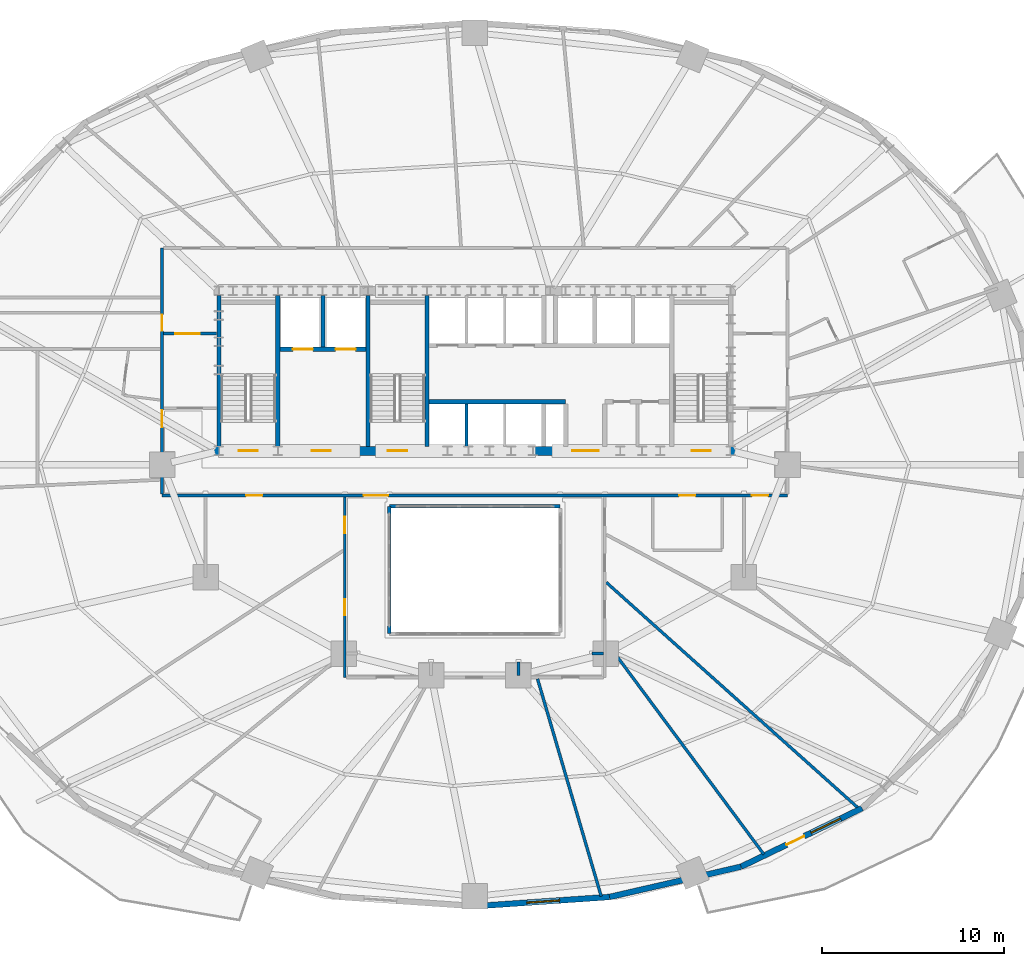
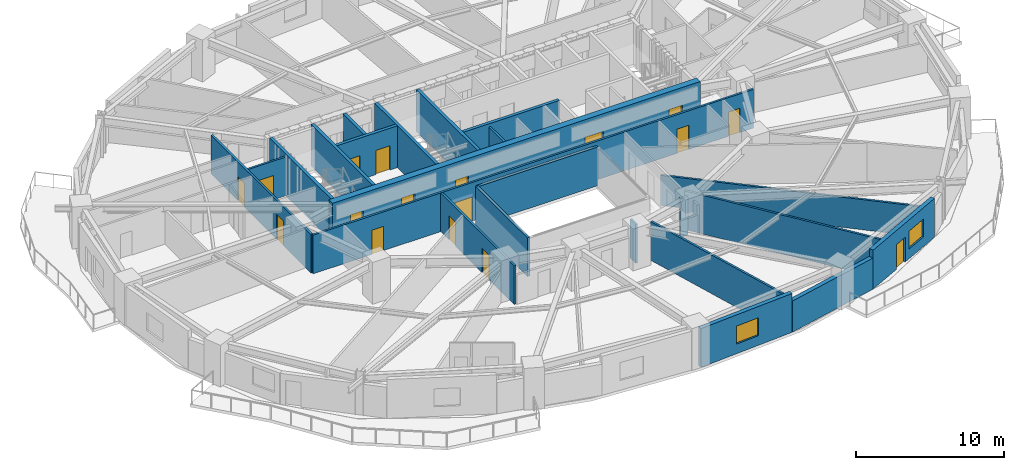
# One storey, part 10 of 17: 23 walls, 17 doors, 2 windows, 19 openings.
"""IFC4 building model written with IfcOpenShell, lengths in metres."""

from ifc_helpers import new_model, si_unit, direction, frame, frame_2d, origin, place, context, subcontext, project, spatial, rectangle, extrude, material, layer, layer_set, type_object, element, fill, save


model = new_model("IFC4")

# Units and contexts
model_context = context("Model", 3, precision=1e-05, world=origin(), true_north=direction((0.0, 1.0)))
body_context = subcontext(model_context, "Body", "Model", "MODEL_VIEW")
ifc_project = project(units=[si_unit("LENGTHUNIT", "METRE"), si_unit("AREAUNIT", "SQUARE_METRE"), si_unit("VOLUMEUNIT", "CUBIC_METRE"), si_unit("PLANEANGLEUNIT", "RADIAN"), si_unit("MASSUNIT", "GRAM", prefix="KILO")], contexts=[model_context])

# Site, building, storey
site_placement = place(None, origin())
site = spatial("IfcSite", under=ifc_project, at=site_placement, CompositionType="ELEMENT")
building_placement = place(site_placement, origin())
building = spatial("IfcBuilding", under=site, at=building_placement, Name="Haldorwick Loom Tower", CompositionType="ELEMENT")
storey_placement = place(building_placement, frame((0.0, 0.0, 65.39990234375)))
storey = spatial("IfcBuildingStorey", under=building, at=storey_placement, Name="L17", CompositionType="ELEMENT", Elevation=65.39990234375)

# Wall, opening, window
ifc_material_1 = material(Name="Pressed Clay Face Brick and Insulated Masonry Backup Assembly", Category="masonry")
ifc_layer_1 = layer(ifc_material_1, 0.320068359375, Name="Pressed Clay Face Brick and Insulated Masonry Backup Assembly", Category="masonry")
ifc_layer_set_1 = layer_set([ifc_layer_1], Name="Pressed Clay Face Brick and Insulated Masonry Backup Assembly")
wall_type_1 = type_object("IfcWallType", Name="ARC-WL-EXT320", PredefinedType="STANDARD", material=ifc_layer_set_1)
wall_1_placement = place(storey_placement, frame((36.0, 1.7099609375, 0.0), z_axis=(0.0, 0.0, 1.0), x_axis=(0.997645161917, 0.068586667092, 0.0)))
wall_1 = element("IfcWall", 1, at=wall_1_placement, inside=storey, type_object=wall_type_1, Name="L17 Brick Pier and Spandrel Wall 19", PredefinedType="STANDARD", context=body_context, shape_type="SweptSolid", body=[
    extrude(rectangle(XDim=7.428955078125, YDim=0.320068359375, at=frame_2d((3.71435546875, 0.0))), origin(), (0.0, 0.0, 1.0), 3.210205078125),
])
opening_1_placement = place(wall_1_placement, frame((2.874755859375, 0.0, 0.800048828125)))
opening_1 = element("IfcOpeningElement", 2, at=opening_1_placement, cuts=wall_1, Name="Opening W-01", PredefinedType="OPENING", context=body_context, shape_type="SweptSolid", body=[
    extrude(rectangle(XDim=1.800048828125, YDim=1.47998046875, at=frame_2d((0.89990234375, 0.739990234375))), frame((0.0, 0.169921875, 0.0), z_axis=(0.0, -1.0, 0.0), x_axis=(1.0, 0.0, 0.0)), (0.0, 0.0, 1.0), 0.340087890625),
])
ifc_material_2 = material(Name="Triple-Glazed Low-E Argon Insulated Glazing Unit", Category="glass")
window_type = type_object("IfcWindowType", Name="ARC-WIN-W180", PartitioningType="SINGLE_PANEL", PredefinedType="WINDOW", material=ifc_material_2)
window_1_placement = place(opening_1_placement, origin())
window_1 = element("IfcWindow", 3, at=window_1_placement, inside=storey, type_object=window_type, Name="L17 Deep-Set Zone 7A Window 19", OverallHeight=1.47998046875, OverallWidth=1.800048828125, PartitioningType="SINGLE_PANEL", PredefinedType="WINDOW", context=body_context, shape_type="SweptSolid", body=[
    extrude(rectangle(XDim=1.800048828125, YDim=1.47998046875, at=frame_2d((0.89990234375, 0.739990234375))), frame((0.0, 0.030029296875, 0.0), z_axis=(0.0, -1.0, 0.0), x_axis=(1.0, 0.0, 0.0)), (0.0, 0.0, 1.0), 0.06005859375),
])
fill(opening_1, window_1)

# Wall
wall_2_placement = place(storey_placement, frame((43.411376953125, 2.219482421875, 0.0), z_axis=(0.0, 0.0, 1.0), x_axis=(0.974522412345, 0.224290142088, 0.0)))
element("IfcWall", 4, at=wall_2_placement, inside=storey, type_object=wall_type_1, Name="L17 Brick Pier and Spandrel Wall 20", PredefinedType="STANDARD", context=body_context, shape_type="SweptSolid", body=[
    extrude(rectangle(XDim=7.422607421875, YDim=0.320068359375, at=frame_2d((3.71142578125, 0.0))), origin(), (0.0, 0.0, 1.0), 2.569091796875),
])

# Wall, openings, door, window
wall_3_placement = place(storey_placement, frame((50.644775390625, 3.88427734375, 0.0), z_axis=(0.0, 0.0, 1.0), x_axis=(0.900295710431, 0.435278800057, 0.0)))
wall_3 = element("IfcWall", 5, at=wall_3_placement, inside=storey, type_object=wall_type_1, Name="L17 Brick Pier and Spandrel Wall 21", PredefinedType="STANDARD", context=body_context, shape_type="SweptSolid", body=[
    extrude(rectangle(XDim=7.39697265625, YDim=0.320068359375, at=frame_2d((3.698486328125, 0.0))), origin(), (0.0, 0.0, 1.0), 3.210205078125),
])
opening_2_placement = place(wall_3_placement, frame((2.77783203125, 0.0, 0.0)))
opening_2 = element("IfcOpeningElement", 6, at=opening_2_placement, cuts=wall_3, Name="Opening D-BL11", PredefinedType="OPENING", context=body_context, shape_type="SweptSolid", body=[
    extrude(rectangle(XDim=1.080078125, YDim=2.0400390625, at=frame_2d((0.5400390625, 1.02001953125))), frame((0.0, 0.169921875, 0.0), z_axis=(0.0, -1.0, 0.0), x_axis=(1.0, 0.0, 0.0)), (0.0, 0.0, 1.0), 0.340087890625),
])
opening_3_placement = place(wall_3_placement, frame((4.27783203125, 0.0, 0.800048828125)))
opening_3 = element("IfcOpeningElement", 7, at=opening_3_placement, cuts=wall_3, Name="Opening W-01", PredefinedType="OPENING", context=body_context, shape_type="SweptSolid", body=[
    extrude(rectangle(XDim=1.800048828125, YDim=1.47998046875, at=frame_2d((0.89990234375, 0.739990234375))), frame((0.0, 0.169921875, 0.0), z_axis=(0.0, -1.0, 0.0), x_axis=(1.0, 0.0, 0.0)), (0.0, 0.0, 1.0), 0.340087890625),
])
ifc_material_3 = material(Name="Thermally Broken Anodized Aluminium Curtain Wall Framing", Category="aluminium")
door_type_1 = type_object("IfcDoorType", Name="ARC-DR-BAL110", OperationType="NOTDEFINED", PredefinedType="DOOR", material=ifc_material_3)
door_1_placement = place(opening_2_placement, origin())
door_1 = element("IfcDoor", 8, at=door_1_placement, inside=storey, type_object=door_type_1, Name="L17 Outdoor Terrace Door SLB-L17-BAL_SE", OperationType="SINGLE_SWING_LEFT", OverallHeight=2.0400390625, OverallWidth=1.080078125, PredefinedType="DOOR", context=body_context, shape_type="SweptSolid", body=[
    extrude(rectangle(XDim=1.080078125, YDim=2.0400390625, at=frame_2d((0.5400390625, 1.02001953125))), frame((0.0, 0.02490234375, 0.0), z_axis=(0.0, -1.0, 0.0), x_axis=(1.0, 0.0, 0.0)), (0.0, 0.0, 1.0), 0.050048828125),
])
fill(opening_2, door_1)
window_2_placement = place(opening_3_placement, origin())
window_2 = element("IfcWindow", 9, at=window_2_placement, inside=storey, type_object=window_type, Name="L17 Deep-Set Zone 7A Window 21", OverallHeight=1.47998046875, OverallWidth=1.800048828125, PartitioningType="SINGLE_PANEL", PredefinedType="WINDOW", context=body_context, shape_type="SweptSolid", body=[
    extrude(rectangle(XDim=1.800048828125, YDim=1.47998046875, at=frame_2d((0.89990234375, 0.739990234375))), frame((0.0, 0.030029296875, 0.0), z_axis=(0.0, -1.0, 0.0), x_axis=(1.0, 0.0, 0.0)), (0.0, 0.0, 1.0), 0.06005859375),
])
fill(opening_3, window_2)

# Wall, openings, doors
ifc_material_4 = material(Name="Fire-Rated Type X Gypsum Stud Assembly EI 60")
ifc_layer_2 = layer(ifc_material_4, 0.159912109375, Name="Fire-Rated Type X Gypsum Stud Assembly EI 60")
ifc_layer_set_2 = layer_set([ifc_layer_2], Name="Fire-Rated Type X Gypsum Stud Assembly EI 60")
wall_type_2 = type_object("IfcWallType", Name="ARC-WL-FIRE160", PredefinedType="PARTITIONING", material=ifc_layer_set_2)
wall_4_placement = place(storey_placement, frame((18.800048828125, 24.300048828125, 0.0), z_axis=(0.0, 0.0, 1.0), x_axis=(1.0, 0.0, 0.0)))
wall_4 = element("IfcWall", 10, at=wall_4_placement, inside=storey, type_object=wall_type_2, Name="L17 Residential Fire Partition L17-CR-SP", PredefinedType="PARTITIONING", context=body_context, shape_type="SweptSolid", body=[
    extrude(rectangle(XDim=34.39990234375, YDim=0.159912109375, at=frame_2d((17.199951171875, 0.0))), origin(), (0.0, 0.0, 1.0), 3.195068359375),
])
opening_4_placement = place(wall_4_placement, frame((11.085693359375, 0.0, 0.0)))
opening_4 = element("IfcOpeningElement", 11, at=opening_4_placement, cuts=wall_4, Name="Opening D-CR15", PredefinedType="OPENING", context=body_context, shape_type="SweptSolid", body=[
    extrude(rectangle(XDim=1.35009765625, YDim=2.0, at=frame_2d((0.675048828125, 1.0))), frame((0.0, 0.08984375, 0.0), z_axis=(0.0, -1.0, 0.0), x_axis=(1.0, 0.0, 0.0)), (0.0, 0.0, 1.0), 0.179931640625),
])
opening_5_placement = place(wall_4_placement, frame((4.621826171875, 0.0, 0.0)))
opening_5 = element("IfcOpeningElement", 12, at=opening_5_placement, cuts=wall_4, Name="Opening D-FD60A", PredefinedType="OPENING", context=body_context, shape_type="SweptSolid", body=[
    extrude(rectangle(XDim=0.89990234375, YDim=2.0, at=frame_2d((0.449951171875, 1.0))), frame((0.0, 0.08984375, 0.0), z_axis=(0.0, -1.0, 0.0), x_axis=(1.0, 0.0, 0.0)), (0.0, 0.0, 1.0), 0.179931640625),
])
opening_6_placement = place(wall_4_placement, frame((28.437255859375, 0.0, 0.0)))
opening_6 = element("IfcOpeningElement", 13, at=opening_6_placement, cuts=wall_4, Name="Opening D-FD60A", PredefinedType="OPENING", context=body_context, shape_type="SweptSolid", body=[
    extrude(rectangle(XDim=0.89990234375, YDim=2.0, at=frame_2d((0.449951171875, 1.0))), frame((0.0, 0.08984375, 0.0), z_axis=(0.0, -1.0, 0.0), x_axis=(1.0, 0.0, 0.0)), (0.0, 0.0, 1.0), 0.179931640625),
])
opening_7_placement = place(wall_4_placement, frame((32.436767578125, 0.0, 0.0)))
opening_7 = element("IfcOpeningElement", 14, at=opening_7_placement, cuts=wall_4, Name="Opening D-FD60A", PredefinedType="OPENING", context=body_context, shape_type="SweptSolid", body=[
    extrude(rectangle(XDim=0.89990234375, YDim=2.0, at=frame_2d((0.449951171875, 1.0))), frame((0.0, 0.08984375, 0.0), z_axis=(0.0, -1.0, 0.0), x_axis=(1.0, 0.0, 0.0)), (0.0, 0.0, 1.0), 0.179931640625),
])
ifc_material_5 = material(Name="Thermally Broken Anodized Aluminium and Tempered Glass", Category="aluminium")
door_type_2 = type_object("IfcDoorType", Name="ARC-DR-COR150", OperationType="NOTDEFINED", PredefinedType="DOOR", material=ifc_material_5)
door_2_placement = place(opening_4_placement, origin())
door_2 = element("IfcDoor", 15, at=door_2_placement, inside=storey, type_object=door_type_2, Name="L17 L17 Central Residential Corridor to L17 South Atrium Corridor Door", OperationType="DOUBLE_DOOR_SINGLE_SWING", OverallHeight=2.0, OverallWidth=1.35009765625, PredefinedType="DOOR", context=body_context, shape_type="SweptSolid", body=[
    extrude(rectangle(XDim=1.35009765625, YDim=2.0, at=frame_2d((0.675048828125, 1.0))), frame((0.0, 0.02490234375, 0.0), z_axis=(0.0, -1.0, 0.0), x_axis=(1.0, 0.0, 0.0)), (0.0, 0.0, 1.0), 0.050048828125),
])
fill(opening_4, door_2)
ifc_material_6 = material(Name="Hollow Steel Fire Door Assembly", Category="steel")
door_type_3 = type_object("IfcDoorType", Name="ARC-DR-FD60-90", OperationType="NOTDEFINED", PredefinedType="DOOR", material=ifc_material_6)
door_3_placement = place(opening_5_placement, origin())
door_3 = element("IfcDoor", 16, at=door_3_placement, inside=storey, type_object=door_type_3, Name="L17 L17 Central Residential Corridor to Tenant Seminar Meeting Room 18 D", OperationType="SINGLE_SWING_RIGHT", OverallHeight=2.0, OverallWidth=0.89990234375, PredefinedType="DOOR", context=body_context, shape_type="SweptSolid", body=[
    extrude(rectangle(XDim=0.89990234375, YDim=2.0, at=frame_2d((0.449951171875, 1.0))), frame((0.0, 0.02490234375, 0.0), z_axis=(0.0, -1.0, 0.0), x_axis=(1.0, 0.0, 0.0)), (0.0, 0.0, 1.0), 0.050048828125),
])
fill(opening_5, door_3)
door_4_placement = place(opening_6_placement, origin())
door_4 = element("IfcDoor", 17, at=door_4_placement, inside=storey, type_object=door_type_3, Name="L17 L17 Central Residential Corridor to Common Accessible WC Door", OperationType="SINGLE_SWING_RIGHT", OverallHeight=2.0, OverallWidth=0.89990234375, PredefinedType="DOOR", context=body_context, shape_type="SweptSolid", body=[
    extrude(rectangle(XDim=0.89990234375, YDim=2.0, at=frame_2d((0.449951171875, 1.0))), frame((0.0, 0.02490234375, 0.0), z_axis=(0.0, -1.0, 0.0), x_axis=(1.0, 0.0, 0.0)), (0.0, 0.0, 1.0), 0.050048828125),
])
fill(opening_6, door_4)
door_5_placement = place(opening_7_placement, origin())
door_5 = element("IfcDoor", 18, at=door_5_placement, inside=storey, type_object=door_type_3, Name="L17 L17 Central Residential Corridor to Tenant Seminar Meeting Room 2 Do", OperationType="SINGLE_SWING_LEFT", OverallHeight=2.0, OverallWidth=0.89990234375, PredefinedType="DOOR", context=body_context, shape_type="SweptSolid", body=[
    extrude(rectangle(XDim=0.89990234375, YDim=2.0, at=frame_2d((0.449951171875, 1.0))), frame((0.0, 0.02490234375, 0.0), z_axis=(0.0, -1.0, 0.0), x_axis=(1.0, 0.0, 0.0)), (0.0, 0.0, 1.0), 0.050048828125),
])
fill(opening_7, door_5)

wall_5_placement = place(storey_placement, frame((18.800048828125, 24.383056640625, 0.0), z_axis=(0.0, 0.0, 1.0), x_axis=(0.0, 1.0, 0.0)))
wall_5 = element("IfcWall", 19, at=wall_5_placement, inside=storey, type_object=wall_type_2, Name="L17 Residential Fire Partition L17-CR-W0", PredefinedType="PARTITIONING", context=body_context, shape_type="SweptSolid", body=[
    extrude(rectangle(XDim=13.516845703125, YDim=0.159912109375, at=frame_2d((6.75830078125, 0.0))), origin(), (0.0, 0.0, 1.0), 3.195068359375),
])
opening_8_placement = place(wall_5_placement, frame((8.967529296875, 0.0, 0.0)))
opening_8 = element("IfcOpeningElement", 20, at=opening_8_placement, cuts=wall_5, Name="Opening D-FD60A", PredefinedType="OPENING", context=body_context, shape_type="SweptSolid", body=[
    extrude(rectangle(XDim=0.89990234375, YDim=2.0, at=frame_2d((0.449951171875, 1.0))), frame((0.0, 0.08984375, 0.0), z_axis=(0.0, -1.0, 0.0), x_axis=(1.0, 0.0, 0.0)), (0.0, 0.0, 1.0), 0.179931640625),
])
opening_9_placement = place(wall_5_placement, frame((3.661865234375, 0.0, 0.0)))
opening_9 = element("IfcOpeningElement", 21, at=opening_9_placement, cuts=wall_5, Name="Opening D-FL95", PredefinedType="OPENING", context=body_context, shape_type="SweptSolid", body=[
    extrude(rectangle(XDim=0.949951171875, YDim=2.0400390625, at=frame_2d((0.47509765625, 1.02001953125))), frame((0.0, 0.08984375, 0.0), z_axis=(0.0, -1.0, 0.0), x_axis=(1.0, 0.0, 0.0)), (0.0, 0.0, 1.0), 0.179931640625),
])
door_6_placement = place(opening_8_placement, origin())
door_6 = element("IfcDoor", 22, at=door_6_placement, inside=storey, type_object=door_type_3, Name="L17 L17 West Daylight Corridor to L17 North Residential Corridor Door", OperationType="SINGLE_SWING_LEFT", OverallHeight=2.0, OverallWidth=0.89990234375, PredefinedType="DOOR", context=body_context, shape_type="SweptSolid", body=[
    extrude(rectangle(XDim=0.89990234375, YDim=2.0, at=frame_2d((0.449951171875, 1.0))), frame((0.0, 0.02490234375, 0.0), z_axis=(0.0, -1.0, 0.0), x_axis=(1.0, 0.0, 0.0)), (0.0, 0.0, 1.0), 0.050048828125),
])
fill(opening_8, door_6)
ifc_material_7 = material(Name="Solid Core Birch Architectural Door")
door_type_4 = type_object("IfcDoorType", Name="ARC-DR-FLAT95", OperationType="NOTDEFINED", PredefinedType="DOOR", material=ifc_material_7)
door_7_placement = place(opening_9_placement, frame((0.949951171875, 0.0, 0.0), z_axis=(0.0, 0.0, 1.0), x_axis=(-1.0, 0.0, 0.0)))
door_7 = element("IfcDoor", 23, at=door_7_placement, inside=storey, type_object=door_type_4, Name="L17 Unit 17F Kitchen and Studio Living Room to L17 Central Residential C", OperationType="SINGLE_SWING_LEFT", OverallHeight=2.0400390625, OverallWidth=0.949951171875, PredefinedType="DOOR", context=body_context, shape_type="SweptSolid", body=[
    extrude(rectangle(XDim=0.949951171875, YDim=2.0400390625, at=frame_2d((0.47509765625, 1.02001953125))), frame((0.0, 0.02490234375, 0.0), z_axis=(0.0, -1.0, 0.0), x_axis=(1.0, 0.0, 0.0)), (0.0, 0.0, 1.0), 0.050048828125),
])
fill(opening_9, door_7)

# Wall, opening, door
wall_6_placement = place(storey_placement, frame((18.883056640625, 33.199951171875, 0.0), z_axis=(0.0, 0.0, 1.0), x_axis=(1.0, 0.0, 0.0)))
wall_6 = element("IfcWall", 24, at=wall_6_placement, inside=storey, type_object=wall_type_2, Name="L17 Residential Fire Partition L17-CR-WNJ", PredefinedType="PARTITIONING", context=body_context, shape_type="SweptSolid", body=[
    extrude(rectangle(XDim=2.923828125, YDim=0.159912109375, at=frame_2d((1.4619140625, 0.0))), origin(), (0.0, 0.0, 1.0), 3.195068359375),
])
opening_10_placement = place(wall_6_placement, frame((0.637939453125, 0.0, 0.0)))
opening_10 = element("IfcOpeningElement", 25, at=opening_10_placement, cuts=wall_6, Name="Opening D-CR15", PredefinedType="OPENING", context=body_context, shape_type="SweptSolid", body=[
    extrude(rectangle(XDim=1.35009765625, YDim=2.0, at=frame_2d((0.675048828125, 1.0))), frame((0.0, 0.08984375, 0.0), z_axis=(0.0, -1.0, 0.0), x_axis=(1.0, 0.0, 0.0)), (0.0, 0.0, 1.0), 0.179931640625),
])
door_8_placement = place(opening_10_placement, origin())
door_8 = element("IfcDoor", 26, at=door_8_placement, inside=storey, type_object=door_type_2, Name="L17 L17 North Residential Corridor to L17 West Residential Corridor Door", OperationType="DOUBLE_DOOR_SINGLE_SWING", OverallHeight=2.0, OverallWidth=1.35009765625, PredefinedType="DOOR", context=body_context, shape_type="SweptSolid", body=[
    extrude(rectangle(XDim=1.35009765625, YDim=2.0, at=frame_2d((0.675048828125, 1.0))), frame((0.0, 0.02490234375, 0.0), z_axis=(0.0, -1.0, 0.0), x_axis=(1.0, 0.0, 0.0)), (0.0, 0.0, 1.0), 0.050048828125),
])
fill(opening_10, door_8)

# Wall, openings, doors
wall_7_placement = place(storey_placement, frame((28.85009765625, 14.300048828125, 0.0), z_axis=(0.0, 0.0, 1.0), x_axis=(0.0, 1.0, 0.0)))
wall_7 = element("IfcWall", 27, at=wall_7_placement, inside=storey, type_object=wall_type_2, Name="L17 Residential Fire Partition L17-CR-AW", PredefinedType="PARTITIONING", context=body_context, shape_type="SweptSolid", body=[
    extrude(rectangle(XDim=9.9169921875, YDim=0.159912109375, at=frame_2d((4.95849609375, 0.0))), origin(), (0.0, 0.0, 1.0), 3.195068359375),
])
opening_11_placement = place(wall_7_placement, frame((3.406494140625, 0.0, 0.0)))
opening_11 = element("IfcOpeningElement", 28, at=opening_11_placement, cuts=wall_7, Name="Opening D-FD60A", PredefinedType="OPENING", context=body_context, shape_type="SweptSolid", body=[
    extrude(rectangle(XDim=0.89990234375, YDim=2.0, at=frame_2d((0.449951171875, 1.0))), frame((0.0, 0.08984375, 0.0), z_axis=(0.0, -1.0, 0.0), x_axis=(1.0, 0.0, 0.0)), (0.0, 0.0, 1.0), 0.179931640625),
])
opening_12_placement = place(wall_7_placement, frame((7.92431640625, 0.0, 0.0)))
opening_12 = element("IfcOpeningElement", 29, at=opening_12_placement, cuts=wall_7, Name="Opening D-FD60A", PredefinedType="OPENING", context=body_context, shape_type="SweptSolid", body=[
    extrude(rectangle(XDim=0.89990234375, YDim=2.0, at=frame_2d((0.449951171875, 1.0))), frame((0.0, 0.08984375, 0.0), z_axis=(0.0, -1.0, 0.0), x_axis=(1.0, 0.0, 0.0)), (0.0, 0.0, 1.0), 0.179931640625),
])
door_9_placement = place(opening_11_placement, frame((0.89990234375, 0.0, 0.0), z_axis=(0.0, 0.0, 1.0), x_axis=(-1.0, 0.0, 0.0)))
door_9 = element("IfcDoor", 30, at=door_9_placement, inside=storey, type_object=door_type_3, Name="L17 Tenant Seminar Meeting Room 13 to L17 South Atrium Corridor Door", OperationType="SINGLE_SWING_LEFT", OverallHeight=2.0, OverallWidth=0.89990234375, PredefinedType="DOOR", context=body_context, shape_type="SweptSolid", body=[
    extrude(rectangle(XDim=0.89990234375, YDim=2.0, at=frame_2d((0.449951171875, 1.0))), frame((0.0, 0.02490234375, 0.0), z_axis=(0.0, -1.0, 0.0), x_axis=(1.0, 0.0, 0.0)), (0.0, 0.0, 1.0), 0.050048828125),
])
fill(opening_11, door_9)
door_10_placement = place(opening_12_placement, frame((0.89990234375, 0.0, 0.0), z_axis=(0.0, 0.0, 1.0), x_axis=(-1.0, 0.0, 0.0)))
door_10 = element("IfcDoor", 31, at=door_10_placement, inside=storey, type_object=door_type_3, Name="L17 Tenant Seminar Meeting Room 18 to L17 South Atrium Corridor Door", OperationType="SINGLE_SWING_RIGHT", OverallHeight=2.0, OverallWidth=0.89990234375, PredefinedType="DOOR", context=body_context, shape_type="SweptSolid", body=[
    extrude(rectangle(XDim=0.89990234375, YDim=2.0, at=frame_2d((0.449951171875, 1.0))), frame((0.0, 0.02490234375, 0.0), z_axis=(0.0, -1.0, 0.0), x_axis=(1.0, 0.0, 0.0)), (0.0, 0.0, 1.0), 0.050048828125),
])
fill(opening_12, door_10)

# Walls
wall_8_placement = place(storey_placement, frame((42.449951171875, 15.60009765625, 0.0), z_axis=(0.0, 0.0, 1.0), x_axis=(1.0, 0.0, 0.0)))
element("IfcWall", 32, at=wall_8_placement, inside=storey, type_object=wall_type_2, Name="L17 Residential Fire Partition L17-ICA-04", PredefinedType="PARTITIONING", context=body_context, shape_type="SweptSolid", body=[
    extrude(rectangle(XDim=0.616943359375, YDim=0.159912109375, at=frame_2d((0.30859375, 0.0))), origin(), (0.0, 0.0, 1.0), 3.195068359375),
])
wall_9_placement = place(storey_placement, frame((38.39990234375, 15.14990234375, 0.0), z_axis=(0.0, 0.0, 1.0), x_axis=(0.0, -1.0, 0.0)))
element("IfcWall", 33, at=wall_9_placement, inside=storey, type_object=wall_type_2, Name="L17 Residential Fire Partition L17-ICA-05", PredefinedType="PARTITIONING", context=body_context, shape_type="SweptSolid", body=[
    extrude(rectangle(XDim=0.75, YDim=0.159912109375, at=frame_2d((0.375, 0.0))), origin(), (0.0, 0.0, 1.0), 3.195068359375),
])
wall_10_placement = place(storey_placement, frame((43.23291015625, 16.247314453125, 0.0), z_axis=(0.0, 0.0, 1.0), x_axis=(0.595695026212, -0.803210704452, 0.0)))
element("IfcWall", 34, at=wall_10_placement, inside=storey, type_object=wall_type_2, Name="L17 Suite Split Wall", PredefinedType="PARTITIONING", context=body_context, shape_type="SweptSolid", body=[
    extrude(rectangle(XDim=14.54736328125, YDim=0.159912109375, at=frame_2d((7.273681640625, 0.0))), origin(), (0.0, 0.0, 1.0), 3.195068359375),
])
wall_11_placement = place(storey_placement, frame((39.45068359375, 14.217041015625, 0.0), z_axis=(0.0, 0.0, 1.0), x_axis=(0.28103162189, -0.959698508646, 0.0)))
element("IfcWall", 35, at=wall_11_placement, inside=storey, type_object=wall_type_2, Name="L17 Suite Split Wall", PredefinedType="PARTITIONING", context=body_context, shape_type="SweptSolid", body=[
    extrude(rectangle(XDim=12.46630859375, YDim=0.159912109375, at=frame_2d((6.233154296875, 0.0))), origin(), (0.0, 0.0, 1.0), 3.195068359375),
])
wall_12_placement = place(storey_placement, frame((43.23291015625, 19.521484375, 0.0), z_axis=(0.0, 0.0, 1.0), x_axis=(0.744881850993, -0.667196393921, 0.0)))
element("IfcWall", 36, at=wall_12_placement, inside=storey, type_object=wall_type_2, Name="L17 Suite Split Wall", PredefinedType="PARTITIONING", context=body_context, shape_type="SweptSolid", body=[
    extrude(rectangle(XDim=18.63916015625, YDim=0.159912109375, at=frame_2d((9.319580078125, 0.0))), origin(), (0.0, 0.0, 1.0), 2.489990234375),
])
ifc_material_8 = material(Name="Fire-Rated Type X Gypsum Stud Assembly EI 120")
ifc_layer_3 = layer(ifc_material_8, 0.199951171875, Name="Fire-Rated Type X Gypsum Stud Assembly EI 120")
ifc_layer_set_3 = layer_set([ifc_layer_3], Name="Fire-Rated Type X Gypsum Stud Assembly EI 120")
wall_type_3 = type_object("IfcWallType", Name="ARC-WL-FIRE200", PredefinedType="PARTITIONING", material=ifc_layer_set_3)
wall_13_placement = place(storey_placement, frame((31.300048828125, 23.699951171875, 0.0), z_axis=(0.0, 0.0, 1.0), x_axis=(1.0, 0.0, 0.0)))
element("IfcWall", 37, at=wall_13_placement, inside=storey, type_object=wall_type_3, Name="L17 Atrium Fire Enclosure Wall N", PredefinedType="PARTITIONING", context=body_context, shape_type="SweptSolid", body=[
    extrude(rectangle(XDim=9.39990234375, YDim=0.199951171875, at=frame_2d((4.699951171875, 0.0))), origin(), (0.0, 0.0, 1.0), 3.195068359375),
])
wall_14_placement = place(storey_placement, frame((31.300048828125, 16.699951171875, 0.0), z_axis=(0.0, 0.0, 1.0), x_axis=(0.0, 1.0, 0.0)))
element("IfcWall", 38, at=wall_14_placement, inside=storey, type_object=wall_type_3, Name="L17 Atrium Fire Enclosure Wall W", PredefinedType="PARTITIONING", context=body_context, shape_type="SweptSolid", body=[
    extrude(rectangle(XDim=7.0, YDim=0.199951171875, at=frame_2d((3.5, 0.0))), origin(), (0.0, 0.0, 1.0), 3.195068359375),
])
ifc_layer_4 = layer(ifc_material_8, 0.1650390625, Name="Fire-Rated Type X Gypsum Stud Assembly EI 120")
ifc_layer_set_4 = layer_set([ifc_layer_4], Name="Fire-Rated Type X Gypsum Stud Assembly EI 120")
wall_type_4 = type_object("IfcWallType", Name="ARC-WL-SHAFT160", PredefinedType="MOVABLE", material=ifc_layer_set_4)
wall_15_placement = place(storey_placement, frame((35.550048828125, 27.0029296875, 0.0), z_axis=(0.0, 0.0, 1.0), x_axis=(0.0, 1.0, 0.0)))
element("IfcWall", 39, at=wall_15_placement, inside=storey, type_object=wall_type_4, Name="L17 Mid-Rise Hoistway Divider 1", PredefinedType="MOVABLE", context=body_context, shape_type="SweptSolid", body=[
    extrude(rectangle(XDim=2.323974609375, YDim=0.159912109375, at=frame_2d((1.162109375, 0.0))), origin(), (0.0, 0.0, 1.0), 3.195068359375),
])

# Wall, openings, doors
ifc_material_9 = material(Name="Concrete C60 (60 MPa)", Category="concrete")
ifc_layer_5 = layer(ifc_material_9, 0.5, Name="Concrete C60 (60 MPa)", Category="concrete")
ifc_layer_set_5 = layer_set([ifc_layer_5], Name="Concrete C60 (60 MPa)")
wall_type_5 = type_object("IfcWallType", Name="STR-WL-CORE500", PredefinedType="SHEAR", material=ifc_layer_set_5)
wall_16_placement = place(storey_placement, frame((21.64990234375, 26.75, 0.0), z_axis=(0.0, 0.0, 1.0), x_axis=(1.0, 0.0, 0.0)))
wall_16 = element("IfcWall", 40, at=wall_16_placement, inside=storey, type_object=wall_type_5, Name="L17 Core Shear Wall S", PredefinedType="SHEAR", context=body_context, shape_type="SweptSolid", body=[
    extrude(rectangle(XDim=28.7001953125, YDim=0.5, at=frame_2d((14.35009765625, 0.0))), origin(), (0.0, 0.0, 1.0), 3.4501953125),
])
opening_13_placement = place(wall_16_placement, frame((1.375, 0.0, 0.0)))
opening_13 = element("IfcOpeningElement", 41, at=opening_13_placement, cuts=wall_16, Name="Opening D-FD60", PredefinedType="OPENING", context=body_context, shape_type="SweptSolid", body=[
    extrude(rectangle(XDim=1.050048828125, YDim=2.0, at=frame_2d((0.52490234375, 1.0))), frame((0.0, 0.260009765625, 0.0), z_axis=(0.0, -1.0, 0.0), x_axis=(1.0, 0.0, 0.0)), (0.0, 0.0, 1.0), 0.52001953125),
])
opening_14_placement = place(wall_16_placement, frame((5.375, 0.0, 0.0)))
opening_14 = element("IfcOpeningElement", 42, at=opening_14_placement, cuts=wall_16, Name="Opening D-FD60", PredefinedType="OPENING", context=body_context, shape_type="SweptSolid", body=[
    extrude(rectangle(XDim=1.050048828125, YDim=2.0, at=frame_2d((0.52490234375, 1.0))), frame((0.0, 0.260009765625, 0.0), z_axis=(0.0, -1.0, 0.0), x_axis=(1.0, 0.0, 0.0)), (0.0, 0.0, 1.0), 0.52001953125),
])
opening_15_placement = place(wall_16_placement, frame((9.574951171875, 0.0, 0.0)))
opening_15 = element("IfcOpeningElement", 43, at=opening_15_placement, cuts=wall_16, Name="Opening D-FD60", PredefinedType="OPENING", context=body_context, shape_type="SweptSolid", body=[
    extrude(rectangle(XDim=1.050048828125, YDim=2.0, at=frame_2d((0.52490234375, 1.0))), frame((0.0, 0.260009765625, 0.0), z_axis=(0.0, -1.0, 0.0), x_axis=(1.0, 0.0, 0.0)), (0.0, 0.0, 1.0), 0.52001953125),
])
opening_16_placement = place(wall_16_placement, frame((19.705078125, 0.0, 0.0)))
opening_16 = element("IfcOpeningElement", 44, at=opening_16_placement, cuts=wall_16, Name="Opening D-LB15", PredefinedType="OPENING", context=body_context, shape_type="SweptSolid", body=[
    extrude(rectangle(XDim=1.449951171875, YDim=2.0, at=frame_2d((0.72509765625, 1.0))), frame((0.0, 0.260009765625, 0.0), z_axis=(0.0, -1.0, 0.0), x_axis=(1.0, 0.0, 0.0)), (0.0, 0.0, 1.0), 0.52001953125),
])
opening_17_placement = place(wall_16_placement, frame((26.27490234375, 0.0, 0.0)))
opening_17 = element("IfcOpeningElement", 45, at=opening_17_placement, cuts=wall_16, Name="Opening D-FD60", PredefinedType="OPENING", context=body_context, shape_type="SweptSolid", body=[
    extrude(rectangle(XDim=1.050048828125, YDim=2.0, at=frame_2d((0.52490234375, 1.0))), frame((0.0, 0.260009765625, 0.0), z_axis=(0.0, -1.0, 0.0), x_axis=(1.0, 0.0, 0.0)), (0.0, 0.0, 1.0), 0.52001953125),
])
door_type_5 = type_object("IfcDoorType", Name="ARC-DR-FD60", OperationType="NOTDEFINED", PredefinedType="DOOR", material=ifc_material_6)
door_11_placement = place(opening_13_placement, origin())
door_11 = element("IfcDoor", 46, at=door_11_placement, inside=storey, type_object=door_type_5, Name="L17 Exit Stair ST-01 Fire Door", OperationType="SINGLE_SWING_LEFT", OverallHeight=2.0, OverallWidth=1.050048828125, PredefinedType="DOOR", context=body_context, shape_type="SweptSolid", body=[
    extrude(rectangle(XDim=1.050048828125, YDim=2.0, at=frame_2d((0.52490234375, 1.0))), frame((0.0, 0.02490234375, 0.0), z_axis=(0.0, -1.0, 0.0), x_axis=(1.0, 0.0, 0.0)), (0.0, 0.0, 1.0), 0.050048828125),
])
fill(opening_13, door_11)
door_12_placement = place(opening_14_placement, origin())
door_12 = element("IfcDoor", 47, at=door_12_placement, inside=storey, type_object=door_type_5, Name="L17 Firefighting Lift Lobby Fire Door", OperationType="SINGLE_SWING_RIGHT", OverallHeight=2.0, OverallWidth=1.050048828125, PredefinedType="DOOR", context=body_context, shape_type="SweptSolid", body=[
    extrude(rectangle(XDim=1.050048828125, YDim=2.0, at=frame_2d((0.52490234375, 1.0))), frame((0.0, 0.02490234375, 0.0), z_axis=(0.0, -1.0, 0.0), x_axis=(1.0, 0.0, 0.0)), (0.0, 0.0, 1.0), 0.050048828125),
])
fill(opening_14, door_12)
door_13_placement = place(opening_15_placement, origin())
door_13 = element("IfcDoor", 48, at=door_13_placement, inside=storey, type_object=door_type_5, Name="L17 Exit Stair ST-03 Fire Door", OperationType="SINGLE_SWING_LEFT", OverallHeight=2.0, OverallWidth=1.050048828125, PredefinedType="DOOR", context=body_context, shape_type="SweptSolid", body=[
    extrude(rectangle(XDim=1.050048828125, YDim=2.0, at=frame_2d((0.52490234375, 1.0))), frame((0.0, 0.02490234375, 0.0), z_axis=(0.0, -1.0, 0.0), x_axis=(1.0, 0.0, 0.0)), (0.0, 0.0, 1.0), 0.050048828125),
])
fill(opening_15, door_13)
door_14_placement = place(opening_17_placement, origin())
door_14 = element("IfcDoor", 49, at=door_14_placement, inside=storey, type_object=door_type_5, Name="L17 Exit Stair ST-02 Fire Door", OperationType="SINGLE_SWING_LEFT", OverallHeight=2.0, OverallWidth=1.050048828125, PredefinedType="DOOR", context=body_context, shape_type="SweptSolid", body=[
    extrude(rectangle(XDim=1.050048828125, YDim=2.0, at=frame_2d((0.52490234375, 1.0))), frame((0.0, 0.02490234375, 0.0), z_axis=(0.0, -1.0, 0.0), x_axis=(1.0, 0.0, 0.0)), (0.0, 0.0, 1.0), 0.050048828125),
])
fill(opening_17, door_14)
door_type_6 = type_object("IfcDoorType", Name="ARC-DR-LOB150", OperationType="NOTDEFINED", PredefinedType="DOOR", material=ifc_material_5)
door_15_placement = place(opening_16_placement, frame((1.449951171875, 0.0, 0.0), z_axis=(0.0, 0.0, 1.0), x_axis=(-1.0, 0.0, 0.0)))
door_15 = element("IfcDoor", 50, at=door_15_placement, inside=storey, type_object=door_type_6, Name="L17 Passenger Lift Lobby Fire Door", OperationType="DOUBLE_DOOR_SINGLE_SWING", OverallHeight=2.0, OverallWidth=1.449951171875, PredefinedType="DOOR", context=body_context, shape_type="SweptSolid", body=[
    extrude(rectangle(XDim=1.449951171875, YDim=2.0, at=frame_2d((0.72509765625, 1.0))), frame((0.0, 0.02490234375, 0.0), z_axis=(0.0, -1.0, 0.0), x_axis=(1.0, 0.0, 0.0)), (0.0, 0.0, 1.0), 0.050048828125),
])
fill(opening_16, door_15)

# Walls
ifc_material_10 = material(Name="Concrete C50 (50 MPa)", Category="concrete")
ifc_layer_6 = layer(ifc_material_10, 0.239990234375, Name="Concrete C50 (50 MPa)", Category="concrete")
ifc_layer_set_6 = layer_set([ifc_layer_6], Name="Concrete C50 (50 MPa)")
wall_type_6 = type_object("IfcWallType", Name="STR-WL-SHAFT240", PredefinedType="SHEAR", material=ifc_layer_set_6)
for number, where, z_axis, x_axis, name in (
    (51, (21.929931640625, 35.297119140625, 0.0), (0.0, 0.0, 1.0), (0.0, -1.0, 0.0), "L17 Core Shear Wall W"),
    (52, (25.169921875, 27.0029296875, 0.0), (0.0, 0.0, 1.0), (0.0, 1.0, 0.0), "L17 Core Shear Wall 1"),
    (53, (30.1298828125, 27.0029296875, 0.0), (0.0, 0.0, 1.0), (0.0, 1.0, 0.0), "L17 Core Shear Wall 2"),
    (54, (33.3701171875, 27.0029296875, 0.0), (0.0, 0.0, 1.0), (0.0, 1.0, 0.0), "L17 Core Shear Wall 3"),
):
    element("IfcWall", number, at=place(storey_placement, frame(where, z_axis=z_axis, x_axis=x_axis)), inside=storey, type_object=wall_type_6, Name=name, PredefinedType="SHEAR", context=body_context, shape_type="SweptSolid", body=[
        extrude(rectangle(XDim=8.294189453125, YDim=0.239990234375, at=frame_2d((4.14697265625, 0.0))), origin(), (0.0, 0.0, 1.0), 3.4501953125),
    ])

# Wall, openings, doors
wall_17_placement = place(storey_placement, frame((25.29296875, 32.35009765625, 0.0), z_axis=(0.0, 0.0, 1.0), x_axis=(1.0, 0.0, 0.0)))
wall_17 = element("IfcWall", 55, at=wall_17_placement, inside=storey, type_object=wall_type_6, Name="L17 Core Shear Wall FF", PredefinedType="SHEAR", context=body_context, shape_type="SweptSolid", body=[
    extrude(rectangle(XDim=4.714111328125, YDim=0.239990234375, at=frame_2d((2.35693359375, 0.0))), origin(), (0.0, 0.0, 1.0), 3.4501953125),
])
opening_18_placement = place(wall_17_placement, frame((0.70703125, 0.0, 0.0)))
opening_18 = element("IfcOpeningElement", 56, at=opening_18_placement, cuts=wall_17, Name="Opening LD-FF1", PredefinedType="OPENING", context=body_context, shape_type="SweptSolid", body=[
    extrude(rectangle(XDim=1.10009765625, YDim=2.0, at=frame_2d((0.550048828125, 1.0))), frame((0.0, 0.1298828125, 0.0), z_axis=(0.0, -1.0, 0.0), x_axis=(1.0, 0.0, 0.0)), (0.0, 0.0, 1.0), 0.260009765625),
])
opening_19_placement = place(wall_17_placement, frame((3.056884765625, 0.0, 0.0)))
opening_19 = element("IfcOpeningElement", 57, at=opening_19_placement, cuts=wall_17, Name="Opening LD-FF2", PredefinedType="OPENING", context=body_context, shape_type="SweptSolid", body=[
    extrude(rectangle(XDim=1.10009765625, YDim=2.0, at=frame_2d((0.550048828125, 1.0))), frame((0.0, 0.1298828125, 0.0), z_axis=(0.0, -1.0, 0.0), x_axis=(1.0, 0.0, 0.0)), (0.0, 0.0, 1.0), 0.260009765625),
])
door_type_7 = type_object("IfcDoorType", Name="ARC-DR-LD-FF", OperationType="NOTDEFINED", PredefinedType="USERDEFINED", material=ifc_material_6)
door_16_placement = place(opening_18_placement, origin())
door_16 = element("IfcDoor", 58, at=door_16_placement, inside=storey, type_object=door_type_7, Name="L17 Lift LF-FF1 Sliding Landing Door", ObjectType="LANDING DOOR", OperationType="DOUBLE_DOOR_SLIDING", OverallHeight=2.0, OverallWidth=1.10009765625, PredefinedType="USERDEFINED", context=body_context, shape_type="SweptSolid", body=[
    extrude(rectangle(XDim=1.10009765625, YDim=2.0, at=frame_2d((0.550048828125, 1.0))), frame((0.0, 0.02490234375, 0.0), z_axis=(0.0, -1.0, 0.0), x_axis=(1.0, 0.0, 0.0)), (0.0, 0.0, 1.0), 0.050048828125),
])
fill(opening_18, door_16)
door_17_placement = place(opening_19_placement, origin())
door_17 = element("IfcDoor", 59, at=door_17_placement, inside=storey, type_object=door_type_7, Name="L17 Lift LF-FF2 Sliding Landing Door", ObjectType="LANDING DOOR", OperationType="DOUBLE_DOOR_SLIDING", OverallHeight=2.0, OverallWidth=1.10009765625, PredefinedType="USERDEFINED", context=body_context, shape_type="SweptSolid", body=[
    extrude(rectangle(XDim=1.10009765625, YDim=2.0, at=frame_2d((0.550048828125, 1.0))), frame((0.0, 0.02490234375, 0.0), z_axis=(0.0, -1.0, 0.0), x_axis=(1.0, 0.0, 0.0)), (0.0, 0.0, 1.0), 0.050048828125),
])
fill(opening_19, door_17)

# Walls
wall_18_placement = place(storey_placement, frame((27.64990234375, 32.472900390625, 0.0), z_axis=(0.0, 0.0, 1.0), x_axis=(0.0, 1.0, 0.0)))
element("IfcWall", 60, at=wall_18_placement, inside=storey, type_object=wall_type_6, Name="L17 Core Shear Wall FFD", PredefinedType="SHEAR", context=body_context, shape_type="SweptSolid", body=[
    extrude(rectangle(XDim=2.82421875, YDim=0.239990234375, at=frame_2d((1.412109375, 0.0))), origin(), (0.0, 0.0, 1.0), 3.4501953125),
])
wall_19_placement = place(storey_placement, frame((33.492919921875, 29.449951171875, 0.0), z_axis=(0.0, 0.0, 1.0), x_axis=(1.0, 0.0, 0.0)))
element("IfcWall", 61, at=wall_19_placement, inside=storey, type_object=wall_type_6, Name="L17 Core Shear Wall LS1", PredefinedType="SHEAR", context=body_context, shape_type="SweptSolid", body=[
    extrude(rectangle(XDim=7.507080078125, YDim=0.239990234375, at=frame_2d((3.75341796875, 0.0))), origin(), (0.0, 0.0, 1.0), 3.4501953125),
])

save(model, "model.ifc")
